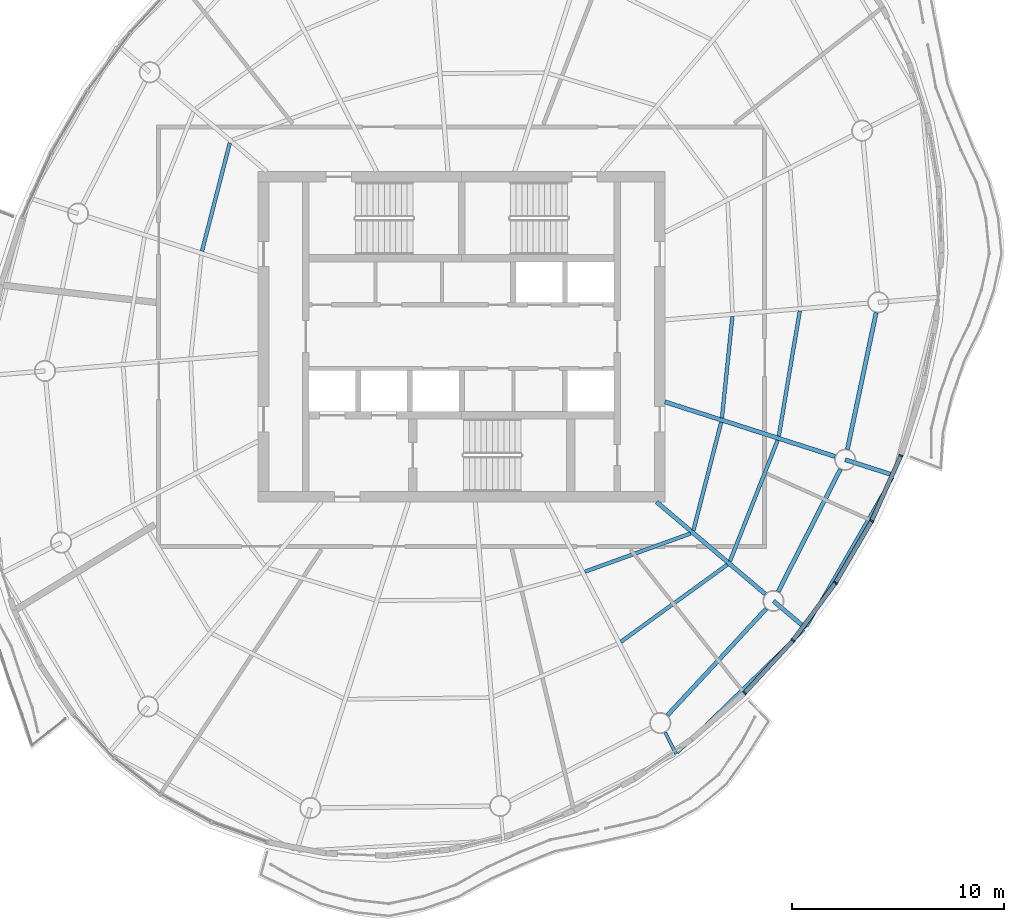
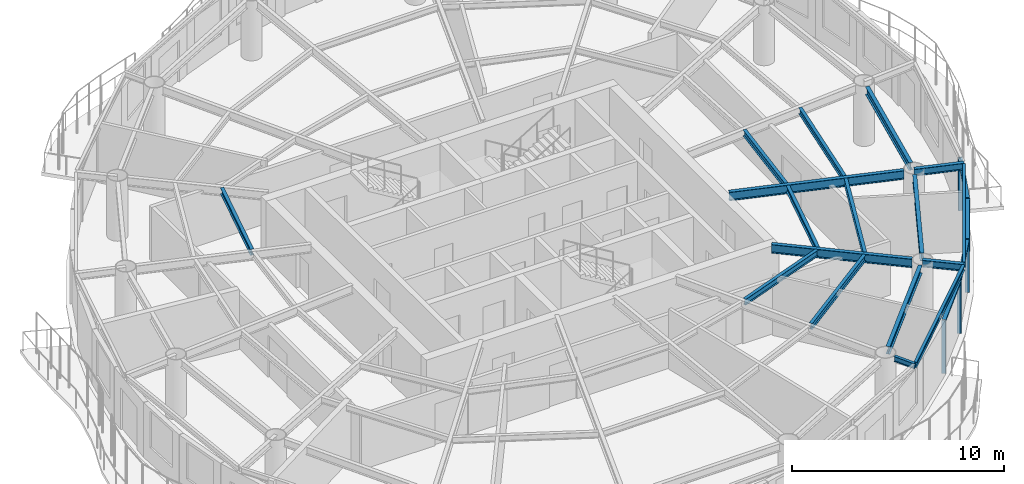
# One storey, part 3 of 15: 17 beams, 9 members, 4 elements without a shape of their own.
"""IFC4 building model written with IfcOpenShell, lengths in metres."""

from ifc_helpers import new_model, si_unit, direction, frame, origin, origin_2d, place, context, subcontext, project, spatial, rectangle, i_section, extrude, material, material_profile, profile_set, type_object, element, aggregate, save


model = new_model("IFC4")

# Units and contexts
model_context = context("Model", 3, precision=1e-05, world=origin(), true_north=direction((0.0, 1.0)))
body_context = subcontext(model_context, "Body", "Model", "MODEL_VIEW")
ifc_project = project(units=[si_unit("LENGTHUNIT", "METRE"), si_unit("AREAUNIT", "SQUARE_METRE"), si_unit("VOLUMEUNIT", "CUBIC_METRE"), si_unit("PLANEANGLEUNIT", "RADIAN"), si_unit("MASSUNIT", "GRAM", prefix="KILO")], contexts=[model_context])

# Site, building, storey
site_placement = place(None, origin())
site = spatial("IfcSite", under=ifc_project, at=site_placement, CompositionType="ELEMENT")
building_placement = place(site_placement, origin())
building = spatial("IfcBuilding", under=site, at=building_placement, Name="Vermilion Reach Broadcast Tower", CompositionType="ELEMENT")
storey_placement = place(building_placement, frame((0.0, 0.0, 261.300048828125)))
storey = spatial("IfcBuildingStorey", under=building, at=storey_placement, Name="L64", CompositionType="ELEMENT", Elevation=261.300048828125)

# Beams
ifc_material_1 = material(Name="Steel S355J2", Category="steel")
ifc_material_profile_1 = material_profile(ifc_material_1, i_section(OverallWidth=0.14990234375, OverallDepth=0.300048828125, WebThickness=0.006591796875, FlangeThickness=0.009033203125, at=origin_2d()), Name="S355J2 HN 300x150x6.5x9")
ifc_profile_set_1 = profile_set([ifc_material_profile_1], Name="Steel S355J2")
beam_type_1 = type_object("IfcBeamType", Name="EB5 HN 300x150x6.5x9", PredefinedType="BEAM", material=ifc_profile_set_1)
beam_1_placement = place(storey_placement, frame((4.181640625, -19.638916015625, 3.300048828125), z_axis=(0.717111214495, 0.69695875491, 0.0), x_axis=(-0.69695875491, 0.717111214495, 0.0)))
element("IfcBeam", 1, at=beam_1_placement, inside=storey, type_object=beam_type_1, Name="Edge beam EB5-11", PredefinedType="BEAM", context=body_context, shape_type="SweptSolid", body=[
    extrude(i_section(OverallWidth=0.14990234375, OverallDepth=0.300048828125, WebThickness=0.006591796875, FlangeThickness=0.009033203125, at=origin_2d()), origin(), (0.0, 0.0, 1.0), 8.3349609375),
])
beam_2_placement = place(storey_placement, frame((10.281494140625, -13.671875, 3.300048828125), z_axis=(0.499538655785, 0.866291597198, 0.0), x_axis=(-0.866291597198, 0.499538655785, 0.0)))
element("IfcBeam", 2, at=beam_2_placement, inside=storey, type_object=beam_type_1, Name="Edge beam EB5-12", PredefinedType="BEAM", context=body_context, shape_type="SweptSolid", body=[
    extrude(i_section(OverallWidth=0.14990234375, OverallDepth=0.300048828125, WebThickness=0.006591796875, FlangeThickness=0.009033203125, at=origin_2d()), origin(), (0.0, 0.0, 1.0), 8.126708984375),
])
ifc_material_2 = material(Name="Steel S355J2", Category="steel")
ifc_material_profile_2 = material_profile(ifc_material_2, i_section(OverallWidth=0.199951171875, OverallDepth=0.5, WebThickness=0.010009765625, FlangeThickness=0.01611328125, at=origin_2d()), Name="S355J2 HN 500x200x10x16")
ifc_profile_set_2 = profile_set([ifc_material_profile_2], Name="Steel S355J2")
beam_type_2 = type_object("IfcBeamType", Name="G5 HN 500x200x10x16", PredefinedType="BEAM", material=ifc_profile_set_2)
beam_3_placement = place(storey_placement, frame((3.20068359375, -7.800048828125, 3.199951171875), z_axis=(0.762793125612, -0.646642596431, 0.0), x_axis=(0.646642596431, 0.762793125612, 0.0)))
element("IfcBeam", 3, at=beam_3_placement, inside=storey, type_object=beam_type_2, Name="Girder G5-12", PredefinedType="BEAM", context=body_context, shape_type="SweptSolid", body=[
    extrude(i_section(OverallWidth=0.199951171875, OverallDepth=0.5, WebThickness=0.010009765625, FlangeThickness=0.01611328125, at=origin_2d()), origin(), (0.0, 0.0, 1.0), 6.732421875),
])
beam_4_placement = place(storey_placement, frame((3.60009765625, -3.080322265625, 3.199951171875), z_axis=(0.952178453449, -0.305542456604, 0.0), x_axis=(0.305542456604, 0.952178453449, 0.0)))
element("IfcBeam", 4, at=beam_4_placement, inside=storey, type_object=beam_type_2, Name="Girder G5-13", PredefinedType="BEAM", context=body_context, shape_type="SweptSolid", body=[
    extrude(i_section(OverallWidth=0.199951171875, OverallDepth=0.5, WebThickness=0.010009765625, FlangeThickness=0.01611328125, at=origin_2d()), origin(), (0.0, 0.0, 1.0), 8.43310546875),
])
ifc_material_3 = material(Name="Steel S355J2", Category="steel")
ifc_material_profile_3 = material_profile(ifc_material_3, i_section(OverallWidth=0.199951171875, OverallDepth=0.39990234375, WebThickness=0.008056640625, FlangeThickness=0.012939453125, at=origin_2d()), Name="S355J2 HN 400x200x8x13")
ifc_profile_set_3 = profile_set([ifc_material_profile_3], Name="Steel S355J2")
beam_type_3 = type_object("IfcBeamType", Name="GC5 HN 400x200x8x13", PredefinedType="BEAM", material=ifc_profile_set_3)
beam_5_placement = place(storey_placement, frame((8.717529296875, -12.476806640625, 3.25), z_axis=(0.762746406381, -0.646697703377, 0.0), x_axis=(0.646697703377, 0.762746406381, 0.0)))
element("IfcBeam", 5, at=beam_5_placement, inside=storey, type_object=beam_type_3, Name="Cantilever girder GC5-12", PredefinedType="BEAM", context=body_context, shape_type="SweptSolid", body=[
    extrude(i_section(OverallWidth=0.199951171875, OverallDepth=0.39990234375, WebThickness=0.008056640625, FlangeThickness=0.012939453125, at=origin_2d()), origin(), (0.0, 0.0, 1.0), 1.98388671875),
])
beam_6_placement = place(storey_placement, frame((12.10595703125, -5.809814453125, 3.25), z_axis=(0.952201923587, -0.305469305687, 0.0), x_axis=(0.305469305687, 0.952201923587, 0.0)))
element("IfcBeam", 6, at=beam_6_placement, inside=storey, type_object=beam_type_3, Name="Cantilever girder GC5-13", PredefinedType="BEAM", context=body_context, shape_type="SweptSolid", body=[
    extrude(i_section(OverallWidth=0.199951171875, OverallDepth=0.39990234375, WebThickness=0.008056640625, FlangeThickness=0.012939453125, at=origin_2d()), origin(), (0.0, 0.0, 1.0), 2.40087890625),
])
ifc_material_4 = material(Name="Steel S355J2", Category="steel")
ifc_material_profile_4 = material_profile(ifc_material_4, i_section(OverallWidth=0.14990234375, OverallDepth=0.300048828125, WebThickness=0.006591796875, FlangeThickness=0.009033203125, at=origin_2d()), Name="S355J2 HN 300x150x6.5x9")
ifc_profile_set_4 = profile_set([ifc_material_profile_4], Name="Steel S355J2")
beam_type_4 = type_object("IfcBeamType", Name="GS5 HN 300x150x6.5x9", PredefinedType="BEAM", material=ifc_profile_set_4)
beam_7_placement = place(storey_placement, frame((3.60546875, -18.682373046875, 3.300048828125), z_axis=(0.457318904707, -0.8893027715, 0.0), x_axis=(0.8893027715, 0.457318904707, 0.0)))
element("IfcBeam", 7, at=beam_7_placement, inside=storey, type_object=beam_type_4, Name="Cantilever stub GS5-11", PredefinedType="BEAM", context=body_context, shape_type="SweptSolid", body=[
    extrude(i_section(OverallWidth=0.14990234375, OverallDepth=0.300048828125, WebThickness=0.006591796875, FlangeThickness=0.009033203125, at=origin_2d()), origin(), (0.0, 0.0, 1.0), 1.13720703125),
])
ifc_material_5 = material(Name="Steel S355J2", Category="steel")
ifc_material_profile_5 = material_profile(ifc_material_5, i_section(OverallWidth=0.199951171875, OverallDepth=0.449951171875, WebThickness=0.009033203125, FlangeThickness=0.013916015625, at=origin_2d()), Name="S355J2 HN 450x200x9x14")
ifc_profile_set_5 = profile_set([ifc_material_profile_5], Name="Steel S355J2")
beam_type_5 = type_object("IfcBeamType", Name="RB5 HN 450x200x9x14", PredefinedType="BEAM", material=ifc_profile_set_5)
beam_8_placement = place(storey_placement, frame((3.716796875, -17.87109375, 3.224853515625), z_axis=(0.679837550075, 0.733362738014, 0.0), x_axis=(-0.733362738014, 0.679837550075, 0.0)))
element("IfcBeam", 8, at=beam_8_placement, inside=storey, type_object=beam_type_5, Name="Ring beam RB5-11", PredefinedType="BEAM", context=body_context, shape_type="SweptSolid", body=[
    extrude(i_section(OverallWidth=0.199951171875, OverallDepth=0.449951171875, WebThickness=0.009033203125, FlangeThickness=0.013916015625, at=origin_2d()), origin(), (0.0, 0.0, 1.0), 6.85546875),
])
beam_9_placement = place(storey_placement, frame((8.944091796875, -12.03125, 3.224853515625), z_axis=(0.453052302855, 0.891483937532, 0.0), x_axis=(-0.891483937532, 0.453052302855, 0.0)))
element("IfcBeam", 9, at=beam_9_placement, inside=storey, type_object=beam_type_5, Name="Ring beam RB5-12", PredefinedType="BEAM", context=body_context, shape_type="SweptSolid", body=[
    extrude(i_section(OverallWidth=0.199951171875, OverallDepth=0.449951171875, WebThickness=0.009033203125, FlangeThickness=0.013916015625, at=origin_2d()), origin(), (0.0, 0.0, 1.0), 6.47900390625),
])
beam_10_placement = place(storey_placement, frame((12.208740234375, -5.3203125, 3.224853515625), z_axis=(0.205444869285, 0.978668690459, 0.0), x_axis=(-0.978668690459, 0.205444869285, 0.0)))
element("IfcBeam", 10, at=beam_10_placement, inside=storey, type_object=beam_type_5, Name="Ring beam RB5-13", PredefinedType="BEAM", context=body_context, shape_type="SweptSolid", body=[
    extrude(i_section(OverallWidth=0.199951171875, OverallDepth=0.449951171875, WebThickness=0.009033203125, FlangeThickness=0.013916015625, at=origin_2d()), origin(), (0.0, 0.0, 1.0), 6.591796875),
])
ifc_material_6 = material(Name="Steel S355J2", Category="steel")
ifc_material_profile_6 = material_profile(ifc_material_6, i_section(OverallWidth=0.175048828125, OverallDepth=0.35009765625, WebThickness=0.007080078125, FlangeThickness=0.010986328125, at=origin_2d()), Name="S355J2 HN 350x175x7x11")
ifc_profile_set_6 = profile_set([ifc_material_profile_6], Name="Steel S355J2")
beam_type_6 = type_object("IfcBeamType", Name="SB5 HN 350x175x7x11", PredefinedType="BEAM", material=ifc_profile_set_6)
beam_11_placement = place(storey_placement, frame((-16.940185546875, 9.1435546875, 3.27490234375), z_axis=(-0.248729575729, -0.968572969971, 0.0), x_axis=(0.968572969971, -0.248729575729, 0.0)))
element("IfcBeam", 11, at=beam_11_placement, inside=storey, type_object=beam_type_6, Name="Secondary beam SB5-04-1", PredefinedType="BEAM", context=body_context, shape_type="SweptSolid", body=[
    extrude(i_section(OverallWidth=0.175048828125, OverallDepth=0.35009765625, WebThickness=0.007080078125, FlangeThickness=0.010986328125, at=origin_2d()), origin(), (0.0, 0.0, 1.0), 5.27294921875),
])
beam_12_placement = place(storey_placement, frame((-0.18212890625, -11.0966796875, 3.27490234375), z_axis=(0.940220108875, 0.340567389613, 0.0), x_axis=(-0.340567389613, 0.940220108875, 0.0)))
element("IfcBeam", 12, at=beam_12_placement, inside=storey, type_object=beam_type_6, Name="Secondary beam SB5-11-1", PredefinedType="BEAM", context=body_context, shape_type="SweptSolid", body=[
    extrude(i_section(OverallWidth=0.175048828125, OverallDepth=0.35009765625, WebThickness=0.007080078125, FlangeThickness=0.010986328125, at=origin_2d()), origin(), (0.0, 0.0, 1.0), 5.303466796875),
])
beam_13_placement = place(storey_placement, frame((1.517578125, -14.402587890625, 3.27490234375), z_axis=(0.809771251518, 0.586745703192, 0.0), x_axis=(-0.586745703192, 0.809771251518, 0.0)))
element("IfcBeam", 13, at=beam_13_placement, inside=storey, type_object=beam_type_6, Name="Secondary beam SB5-11-2", PredefinedType="BEAM", context=body_context, shape_type="SweptSolid", body=[
    extrude(i_section(OverallWidth=0.175048828125, OverallDepth=0.35009765625, WebThickness=0.007080078125, FlangeThickness=0.010986328125, at=origin_2d()), origin(), (0.0, 0.0, 1.0), 6.20361328125),
])
beam_14_placement = place(storey_placement, frame((4.940185546875, -9.1435546875, 3.27490234375), z_axis=(0.248729575729, 0.968572969971, 0.0), x_axis=(-0.968572969971, 0.248729575729, 0.0)))
element("IfcBeam", 14, at=beam_14_placement, inside=storey, type_object=beam_type_6, Name="Secondary beam SB5-12-1", PredefinedType="BEAM", context=body_context, shape_type="SweptSolid", body=[
    extrude(i_section(OverallWidth=0.175048828125, OverallDepth=0.35009765625, WebThickness=0.007080078125, FlangeThickness=0.010986328125, at=origin_2d()), origin(), (0.0, 0.0, 1.0), 5.27294921875),
])
beam_15_placement = place(storey_placement, frame((6.6630859375, -10.604248046875, 3.27490234375), z_axis=(0.366931189603, 0.930248086317, 0.0), x_axis=(-0.930248086317, 0.366931189603, 0.0)))
element("IfcBeam", 15, at=beam_15_placement, inside=storey, type_object=beam_type_6, Name="Secondary beam SB5-12-2", PredefinedType="BEAM", context=body_context, shape_type="SweptSolid", body=[
    extrude(i_section(OverallWidth=0.175048828125, OverallDepth=0.35009765625, WebThickness=0.007080078125, FlangeThickness=0.010986328125, at=origin_2d()), origin(), (0.0, 0.0, 1.0), 6.141357421875),
])
beam_16_placement = place(storey_placement, frame((6.287109375, -3.837646484375, 3.27490234375), z_axis=(0.102113775264, 0.994772726255, 0.0), x_axis=(-0.994772726255, 0.102113775264, 0.0)))
element("IfcBeam", 16, at=beam_16_placement, inside=storey, type_object=beam_type_6, Name="Secondary beam SB5-13-1", PredefinedType="BEAM", context=body_context, shape_type="SweptSolid", body=[
    extrude(i_section(OverallWidth=0.175048828125, OverallDepth=0.35009765625, WebThickness=0.007080078125, FlangeThickness=0.010986328125, at=origin_2d()), origin(), (0.0, 0.0, 1.0), 4.815185546875),
])
beam_17_placement = place(storey_placement, frame((8.969970703125, -4.698486328125, 3.27490234375), z_axis=(0.16532337011, 0.986239414795, 0.0), x_axis=(-0.986239414795, 0.16532337011, 0.0)))
element("IfcBeam", 17, at=beam_17_placement, inside=storey, type_object=beam_type_6, Name="Secondary beam SB5-13-2", PredefinedType="BEAM", context=body_context, shape_type="SweptSolid", body=[
    extrude(i_section(OverallWidth=0.175048828125, OverallDepth=0.35009765625, WebThickness=0.007080078125, FlangeThickness=0.010986328125, at=origin_2d()), origin(), (0.0, 0.0, 1.0), 5.99560546875),
])

# Curtain wall, member
ifc_material_7 = material(Name="Low-e laminated clear glass in aluminium frame", Category="aluminium")
curtain_wall_type = type_object("IfcCurtainWallType", Name="Slot curtain wall", PredefinedType="NOTDEFINED", material=ifc_material_7)
placement = place(storey_placement, origin())
curtain_wall_1 = element("IfcCurtainWall", 18, at=placement, inside=storey, type_object=curtain_wall_type, Name="Slot curtain wall L64 34", PredefinedType="NOTDEFINED")
ifc_material_8 = material(Name="Anodised aluminium", Category="aluminium")
ifc_material_profile_7 = material_profile(ifc_material_8, rectangle(XDim=0.199951171875, YDim=0.080078125, at=origin_2d()), Name="Slot mullion 80 x 200")
ifc_profile_set_7 = profile_set([ifc_material_profile_7], Name="Anodised aluminium")
member_type_1 = type_object("IfcMemberType", Name="Slot mullion 80 x 200", PredefinedType="MULLION", material=ifc_profile_set_7)
member_1_placement = place(storey_placement, frame((7.35595703125, -16.819091796875, 0.0), z_axis=(0.0, 0.0, 1.0), x_axis=(-0.697653120546, 0.716435707787, 0.0)))
member_1 = element("IfcMember", 19, at=member_1_placement, type_object=member_type_1, Name="Slot mullion L64 34", PredefinedType="MULLION", context=body_context, shape_type="SweptSolid", body=[
    extrude(rectangle(XDim=0.199951171875, YDim=0.080078125, at=origin_2d()), origin(), (0.0, 0.0, 1.0), 3.050048828125),
])

curtain_wall_2 = element("IfcCurtainWall", 20, at=placement, inside=storey, type_object=curtain_wall_type, Name="Slot curtain wall L64 35", PredefinedType="NOTDEFINED")
member_2_placement = place(storey_placement, frame((9.635498046875, -14.341796875, 0.0), z_axis=(0.0, 0.0, 1.0), x_axis=(-0.771336694414, 0.636427296594, 0.0)))
member_2 = element("IfcMember", 21, at=member_2_placement, type_object=member_type_1, Name="Slot mullion L64 35", PredefinedType="MULLION", context=body_context, shape_type="SweptSolid", body=[
    extrude(rectangle(XDim=0.199951171875, YDim=0.080078125, at=origin_2d()), origin(), (0.0, 0.0, 1.0), 3.050048828125),
])

curtain_wall_3 = element("IfcCurtainWall", 22, at=placement, inside=storey, type_object=curtain_wall_type, Name="Slot curtain wall L64 36", PredefinedType="NOTDEFINED")
member_3_placement = place(storey_placement, frame((11.646240234375, -11.617919921875, 0.0), z_axis=(0.0, 0.0, 1.0), x_axis=(-0.835231993216, 0.549897733682, 0.0)))
member_3 = element("IfcMember", 23, at=member_3_placement, type_object=member_type_1, Name="Slot mullion L64 36", PredefinedType="MULLION", context=body_context, shape_type="SweptSolid", body=[
    extrude(rectangle(XDim=0.199951171875, YDim=0.080078125, at=origin_2d()), origin(), (0.0, 0.0, 1.0), 3.050048828125),
])

# Curtain wall, members
curtain_wall_4 = element("IfcCurtainWall", 24, at=placement, inside=storey, type_object=curtain_wall_type, Name="Slot curtain wall L64 37", PredefinedType="NOTDEFINED")
member_4_placement = place(storey_placement, frame((13.353759765625, -8.694091796875, 0.0), z_axis=(0.0, 0.0, 1.0), x_axis=(-0.889463660757, 0.457005903892, 0.0)))
member_4 = element("IfcMember", 25, at=member_4_placement, type_object=member_type_1, Name="Slot mullion L64 37", PredefinedType="MULLION", context=body_context, shape_type="SweptSolid", body=[
    extrude(rectangle(XDim=0.199951171875, YDim=0.080078125, at=origin_2d()), origin(), (0.0, 0.0, 1.0), 3.050048828125),
])
member_5_placement = place(storey_placement, frame((14.728515625, -5.621337890625, 0.0), z_axis=(0.0, 0.0, 1.0), x_axis=(-0.933836511521, 0.357700111476, 0.0)))
member_5 = element("IfcMember", 26, at=member_5_placement, type_object=member_type_1, Name="Slot mullion L64 38", PredefinedType="MULLION", context=body_context, shape_type="SweptSolid", body=[
    extrude(rectangle(XDim=0.199951171875, YDim=0.080078125, at=origin_2d()), origin(), (0.0, 0.0, 1.0), 3.050048828125),
])

# Member
ifc_material_9 = material(Name="Anodised aluminium", Category="aluminium")
ifc_material_profile_8 = material_profile(ifc_material_9, rectangle(XDim=0.199951171875, YDim=0.10009765625, at=origin_2d()), Name="Slot transom 200 x 100")
ifc_profile_set_8 = profile_set([ifc_material_profile_8], Name="Anodised aluminium")
member_type_2 = type_object("IfcMemberType", Name="Slot transom 200 x 100", PredefinedType="USERDEFINED", material=ifc_profile_set_8)
member_6_placement = place(storey_placement, frame((7.383056640625, -16.789794921875, 3.0), z_axis=(0.677116073204, 0.735876228322, 0.0), x_axis=(-0.735876228322, 0.677116073204, 0.0)))
member_6 = element("IfcMember", 27, at=member_6_placement, type_object=member_type_2, Name="Slot transom L64 34.1", ObjectType="TRANSOM", PredefinedType="USERDEFINED", context=body_context, shape_type="SweptSolid", body=[
    extrude(rectangle(XDim=0.199951171875, YDim=0.10009765625, at=origin_2d()), origin(), (0.0, 0.0, 1.0), 3.28662109375),
])

aggregate(curtain_wall_1, [member_1, member_6])

member_7_placement = place(storey_placement, frame((9.6591796875, -14.309814453125, 3.0), z_axis=(0.593909207997, 0.80453207062, 0.0), x_axis=(-0.80453207062, 0.593909207997, 0.0)))
member_7 = element("IfcMember", 28, at=member_7_placement, type_object=member_type_2, Name="Slot transom L64 35.1", ObjectType="TRANSOM", PredefinedType="USERDEFINED", context=body_context, shape_type="SweptSolid", body=[
    extrude(rectangle(XDim=0.199951171875, YDim=0.10009765625, at=origin_2d()), origin(), (0.0, 0.0, 1.0), 3.305908203125),
])

aggregate(curtain_wall_2, [member_2, member_7])

member_8_placement = place(storey_placement, frame((11.66650390625, -11.583251953125, 3.0), z_axis=(0.504293440798, 0.863532353516, 0.0), x_axis=(-0.863532353516, 0.504293440798, 0.0)))
member_8 = element("IfcMember", 29, at=member_8_placement, type_object=member_type_2, Name="Slot transom L64 36.1", ObjectType="TRANSOM", PredefinedType="USERDEFINED", context=body_context, shape_type="SweptSolid", body=[
    extrude(rectangle(XDim=0.199951171875, YDim=0.10009765625, at=origin_2d()), origin(), (0.0, 0.0, 1.0), 3.3056640625),
])

aggregate(curtain_wall_3, [member_3, member_8])

member_9_placement = place(storey_placement, frame((13.3701171875, -8.65771484375, 3.0), z_axis=(0.408349771099, 0.912825538887, 0.0), x_axis=(-0.912825538887, 0.408349771099, 0.0)))
member_9 = element("IfcMember", 30, at=member_9_placement, type_object=member_type_2, Name="Slot transom L64 37.1", ObjectType="TRANSOM", PredefinedType="USERDEFINED", context=body_context, shape_type="SweptSolid", body=[
    extrude(rectangle(XDim=0.199951171875, YDim=0.10009765625, at=origin_2d()), origin(), (0.0, 0.0, 1.0), 3.286376953125),
])

aggregate(curtain_wall_4, [member_4, member_5, member_9])

save(model, "model.ifc")
